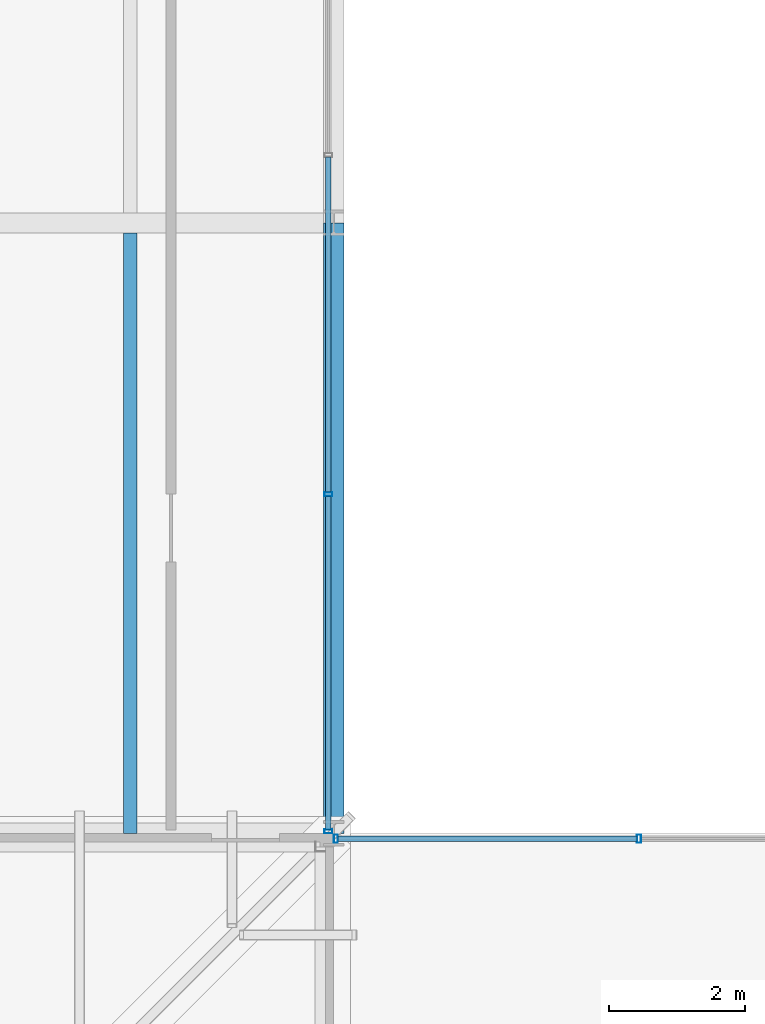
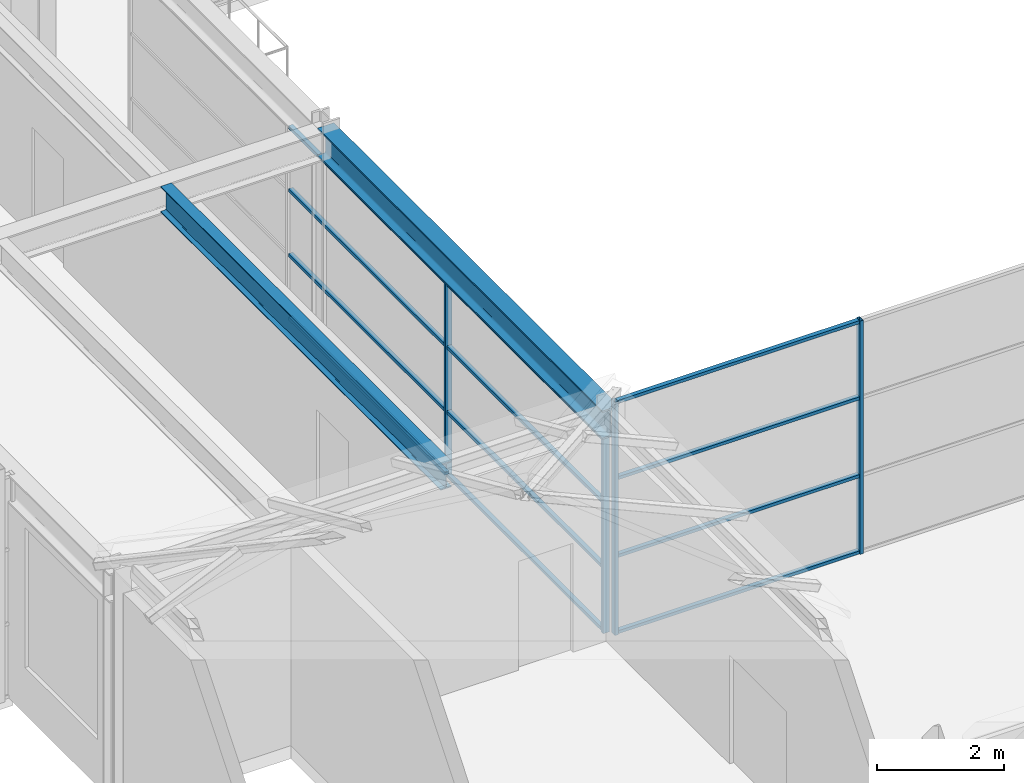
# One storey, part 19 of 149: 16 members, 2 beams, 2 elements without a shape of their own.
"""IFC4 building model written with IfcOpenShell, lengths in metres."""

from ifc_helpers import new_model, si_unit, direction, frame, origin, origin_2d, place, context, subcontext, project, spatial, hollow_rectangle, i_section, extrude, material, material_profile, profile_set, type_object, element, aggregate, save


model = new_model("IFC4")

# Units and contexts
model_context = context("Model", 3, precision=1e-05, world=origin(), true_north=direction((0.0, 1.0)))
body_context = subcontext(model_context, "Body", "Model", "MODEL_VIEW")
ifc_project = project(units=[si_unit("LENGTHUNIT", "METRE"), si_unit("AREAUNIT", "SQUARE_METRE"), si_unit("VOLUMEUNIT", "CUBIC_METRE"), si_unit("PLANEANGLEUNIT", "RADIAN"), si_unit("MASSUNIT", "GRAM", prefix="KILO")], contexts=[model_context])

# Site, building, storey
site_placement = place(None, origin())
site = spatial("IfcSite", under=ifc_project, at=site_placement, CompositionType="ELEMENT")
building_placement = place(site_placement, origin())
building = spatial("IfcBuilding", under=site, at=building_placement, Name="Kallimachos Central Library", CompositionType="ELEMENT")
storey_placement = place(building_placement, frame((0.0, 0.0, 9.89990234375)))
storey = spatial("IfcBuildingStorey", under=building, at=storey_placement, Name="L02", CompositionType="ELEMENT", Elevation=9.89990234375)

# Curtain wall, members
ifc_material_1 = material(Name="Aluminium and laminated glass", Category="aluminium")
curtain_wall_type = type_object("IfcCurtainWallType", Name="Atrium glazed screen", PredefinedType="NOTDEFINED", material=ifc_material_1)
curtain_wall_1_placement = place(storey_placement, origin())
curtain_wall_1 = element("IfcCurtainWall", 1, at=curtain_wall_1_placement, inside=storey, type_object=curtain_wall_type, Name="L02 atrium screen S", PredefinedType="NOTDEFINED")
ifc_material_2 = material(Name="Anodised aluminium", Category="aluminium")
ifc_material_profile_1 = material_profile(ifc_material_2, hollow_rectangle(XDim=0.06005859375, YDim=0.1201171875, WallThickness=0.00390625, at=origin_2d()), Name="ALU MULLION 60x120")
ifc_profile_set_1 = profile_set([ifc_material_profile_1], Name="Anodised aluminium")
member_type_1 = type_object("IfcMemberType", Name="Atrium screen mullion", PredefinedType="MULLION", material=ifc_profile_set_1)
member_1_placement = place(storey_placement, frame((74.530029296875, 56.919921875, 0.0), z_axis=(0.0, 0.0, 1.0), x_axis=(1.0, 0.0, 0.0)))
member_1 = element("IfcMember", 2, at=member_1_placement, type_object=member_type_1, Name="CW mullion 1", PredefinedType="MULLION", context=body_context, shape_type="SweptSolid", body=[
    extrude(hollow_rectangle(XDim=0.06005859375, YDim=0.1201171875, WallThickness=0.00390625, at=origin_2d()), origin(), (0.0, 0.0, 1.0), 4.5),
])
member_2_placement = place(storey_placement, frame((79.0, 56.919921875, 0.0), z_axis=(0.0, 0.0, 1.0), x_axis=(1.0, 0.0, 0.0)))
member_2 = element("IfcMember", 3, at=member_2_placement, type_object=member_type_1, Name="CW mullion 2", PredefinedType="MULLION", context=body_context, shape_type="SweptSolid", body=[
    extrude(hollow_rectangle(XDim=0.06005859375, YDim=0.1201171875, WallThickness=0.00390625, at=origin_2d()), origin(), (0.0, 0.0, 1.0), 4.5),
])

curtain_wall_2_placement = place(storey_placement, origin())
curtain_wall_2 = element("IfcCurtainWall", 4, at=curtain_wall_2_placement, inside=storey, type_object=curtain_wall_type, Name="L02 atrium screen W", PredefinedType="NOTDEFINED")
member_3_placement = place(storey_placement, frame((74.419921875, 57.030029296875, 0.0), z_axis=(0.0, 0.0, 1.0), x_axis=(0.0, 1.0, 0.0)))
member_3 = element("IfcMember", 5, at=member_3_placement, type_object=member_type_1, Name="CW mullion 1", PredefinedType="MULLION", context=body_context, shape_type="SweptSolid", body=[
    extrude(hollow_rectangle(XDim=0.06005859375, YDim=0.1201171875, WallThickness=0.00390625, at=origin_2d()), origin(), (0.0, 0.0, 1.0), 3.75),
])
member_4_placement = place(storey_placement, frame((74.419921875, 62.0, 0.0), z_axis=(0.0, 0.0, 1.0), x_axis=(0.0, 1.0, 0.0)))
member_4 = element("IfcMember", 6, at=member_4_placement, type_object=member_type_1, Name="CW mullion 2", PredefinedType="MULLION", context=body_context, shape_type="SweptSolid", body=[
    extrude(hollow_rectangle(XDim=0.06005859375, YDim=0.1201171875, WallThickness=0.00390625, at=origin_2d()), origin(), (0.0, 0.0, 1.0), 3.75),
])

# Member
ifc_material_3 = material(Name="Anodised aluminium", Category="aluminium")
ifc_material_profile_2 = material_profile(ifc_material_3, hollow_rectangle(XDim=0.06005859375, YDim=0.080078125, WallThickness=0.00390625, at=origin_2d()), Name="ALU TRANSOM 60x80")
ifc_profile_set_2 = profile_set([ifc_material_profile_2], Name="Anodised aluminium")
member_type_2 = type_object("IfcMemberType", Name="Atrium screen transom", PredefinedType="USERDEFINED", material=ifc_profile_set_2)
member_5_placement = place(storey_placement, frame((74.56005859375, 56.919921875, 0.030029296875), z_axis=(1.0, 0.0, 0.0), x_axis=(0.0, 0.0, 1.0)))
member_5 = element("IfcMember", 7, at=member_5_placement, type_object=member_type_2, Name="CW transom 1.1", ObjectType="TRANSOM", PredefinedType="USERDEFINED", context=body_context, shape_type="SweptSolid", body=[
    extrude(hollow_rectangle(XDim=0.06005859375, YDim=0.080078125, WallThickness=0.00390625, at=origin_2d()), origin(), (0.0, 0.0, 1.0), 4.409912109375),
])

member_6_placement = place(storey_placement, frame((74.56005859375, 56.919921875, 1.5), z_axis=(1.0, 0.0, 0.0), x_axis=(0.0, 0.0, 1.0)))
member_6 = element("IfcMember", 8, at=member_6_placement, type_object=member_type_2, Name="CW transom 1.2", ObjectType="TRANSOM", PredefinedType="USERDEFINED", context=body_context, shape_type="SweptSolid", body=[
    extrude(hollow_rectangle(XDim=0.06005859375, YDim=0.080078125, WallThickness=0.00390625, at=origin_2d()), origin(), (0.0, 0.0, 1.0), 4.409912109375),
])

member_7_placement = place(storey_placement, frame((74.56005859375, 56.919921875, 3.0), z_axis=(1.0, 0.0, 0.0), x_axis=(0.0, 0.0, 1.0)))
member_7 = element("IfcMember", 9, at=member_7_placement, type_object=member_type_2, Name="CW transom 1.3", ObjectType="TRANSOM", PredefinedType="USERDEFINED", context=body_context, shape_type="SweptSolid", body=[
    extrude(hollow_rectangle(XDim=0.06005859375, YDim=0.080078125, WallThickness=0.00390625, at=origin_2d()), origin(), (0.0, 0.0, 1.0), 4.409912109375),
])

member_8_placement = place(storey_placement, frame((74.56005859375, 56.919921875, 4.47021484375), z_axis=(1.0, 0.0, 0.0), x_axis=(0.0, 0.0, 1.0)))
member_8 = element("IfcMember", 10, at=member_8_placement, type_object=member_type_2, Name="CW transom 1.4", ObjectType="TRANSOM", PredefinedType="USERDEFINED", context=body_context, shape_type="SweptSolid", body=[
    extrude(hollow_rectangle(XDim=0.06005859375, YDim=0.080078125, WallThickness=0.00390625, at=origin_2d()), origin(), (0.0, 0.0, 1.0), 4.409912109375),
])

aggregate(curtain_wall_1, [member_1, member_2, member_5, member_6, member_7, member_8])

member_9_placement = place(storey_placement, frame((74.419921875, 57.06005859375, 0.030029296875), z_axis=(0.0, 1.0, 0.0), x_axis=(0.0, 0.0, 1.0)))
member_9 = element("IfcMember", 11, at=member_9_placement, type_object=member_type_2, Name="CW transom 1.1", ObjectType="TRANSOM", PredefinedType="USERDEFINED", context=body_context, shape_type="SweptSolid", body=[
    extrude(hollow_rectangle(XDim=0.06005859375, YDim=0.080078125, WallThickness=0.00390625, at=origin_2d()), origin(), (0.0, 0.0, 1.0), 4.909912109375),
])

member_10_placement = place(storey_placement, frame((74.419921875, 57.06005859375, 1.25), z_axis=(0.0, 1.0, 0.0), x_axis=(0.0, 0.0, 1.0)))
member_10 = element("IfcMember", 12, at=member_10_placement, type_object=member_type_2, Name="CW transom 1.2", ObjectType="TRANSOM", PredefinedType="USERDEFINED", context=body_context, shape_type="SweptSolid", body=[
    extrude(hollow_rectangle(XDim=0.06005859375, YDim=0.080078125, WallThickness=0.00390625, at=origin_2d()), origin(), (0.0, 0.0, 1.0), 4.909912109375),
])

member_11_placement = place(storey_placement, frame((74.419921875, 57.06005859375, 2.5), z_axis=(0.0, 1.0, 0.0), x_axis=(0.0, 0.0, 1.0)))
member_11 = element("IfcMember", 13, at=member_11_placement, type_object=member_type_2, Name="CW transom 1.3", ObjectType="TRANSOM", PredefinedType="USERDEFINED", context=body_context, shape_type="SweptSolid", body=[
    extrude(hollow_rectangle(XDim=0.06005859375, YDim=0.080078125, WallThickness=0.00390625, at=origin_2d()), origin(), (0.0, 0.0, 1.0), 4.909912109375),
])

member_12_placement = place(storey_placement, frame((74.419921875, 57.06005859375, 3.72021484375), z_axis=(0.0, 1.0, 0.0), x_axis=(0.0, 0.0, 1.0)))
member_12 = element("IfcMember", 14, at=member_12_placement, type_object=member_type_2, Name="CW transom 1.4", ObjectType="TRANSOM", PredefinedType="USERDEFINED", context=body_context, shape_type="SweptSolid", body=[
    extrude(hollow_rectangle(XDim=0.06005859375, YDim=0.080078125, WallThickness=0.00390625, at=origin_2d()), origin(), (0.0, 0.0, 1.0), 4.909912109375),
])

member_13_placement = place(storey_placement, frame((74.419921875, 62.030029296875, 0.030029296875), z_axis=(0.0, 1.0, 0.0), x_axis=(0.0, 0.0, 1.0)))
member_13 = element("IfcMember", 15, at=member_13_placement, type_object=member_type_2, Name="CW transom 2.1", ObjectType="TRANSOM", PredefinedType="USERDEFINED", context=body_context, shape_type="SweptSolid", body=[
    extrude(hollow_rectangle(XDim=0.06005859375, YDim=0.080078125, WallThickness=0.00390625, at=origin_2d()), origin(), (0.0, 0.0, 1.0), 4.93994140625),
])

member_14_placement = place(storey_placement, frame((74.419921875, 62.030029296875, 1.25), z_axis=(0.0, 1.0, 0.0), x_axis=(0.0, 0.0, 1.0)))
member_14 = element("IfcMember", 16, at=member_14_placement, type_object=member_type_2, Name="CW transom 2.2", ObjectType="TRANSOM", PredefinedType="USERDEFINED", context=body_context, shape_type="SweptSolid", body=[
    extrude(hollow_rectangle(XDim=0.06005859375, YDim=0.080078125, WallThickness=0.00390625, at=origin_2d()), origin(), (0.0, 0.0, 1.0), 4.93994140625),
])

member_15_placement = place(storey_placement, frame((74.419921875, 62.030029296875, 2.5), z_axis=(0.0, 1.0, 0.0), x_axis=(0.0, 0.0, 1.0)))
member_15 = element("IfcMember", 17, at=member_15_placement, type_object=member_type_2, Name="CW transom 2.3", ObjectType="TRANSOM", PredefinedType="USERDEFINED", context=body_context, shape_type="SweptSolid", body=[
    extrude(hollow_rectangle(XDim=0.06005859375, YDim=0.080078125, WallThickness=0.00390625, at=origin_2d()), origin(), (0.0, 0.0, 1.0), 4.93994140625),
])

member_16_placement = place(storey_placement, frame((74.419921875, 62.030029296875, 3.72021484375), z_axis=(0.0, 1.0, 0.0), x_axis=(0.0, 0.0, 1.0)))
member_16 = element("IfcMember", 18, at=member_16_placement, type_object=member_type_2, Name="CW transom 2.4", ObjectType="TRANSOM", PredefinedType="USERDEFINED", context=body_context, shape_type="SweptSolid", body=[
    extrude(hollow_rectangle(XDim=0.06005859375, YDim=0.080078125, WallThickness=0.00390625, at=origin_2d()), origin(), (0.0, 0.0, 1.0), 4.93994140625),
])

aggregate(curtain_wall_2, [member_3, member_4, member_9, member_10, member_11, member_12, member_13, member_14, member_15, member_16])

# Beams
ifc_material_4 = material(Name="Steel S355J2", Category="steel")
ifc_material_profile_3 = material_profile(ifc_material_4, i_section(OverallWidth=0.300048828125, OverallDepth=0.550048828125, WebThickness=0.014892578125, FlangeThickness=0.029052734375, FilletRadius=0.027099609375, at=origin_2d()), Name="HEB 550")
ifc_profile_set_3 = profile_set([ifc_material_profile_3], Name="Steel S355J2")
beam_type_1 = type_object("IfcBeamType", Name="HEB 550 beam", PredefinedType="BEAM", material=ifc_profile_set_3)
beam_1_placement = place(storey_placement, frame((74.5, 57.0, 4.025146484375), z_axis=(0.0, 1.0, 0.0), x_axis=(-1.0, 0.0, 0.0)))
element("IfcBeam", 19, at=beam_1_placement, inside=storey, type_object=beam_type_1, Name="V4-BEM-L02-025", PredefinedType="BEAM", context=body_context, shape_type="SweptSolid", body=[
    extrude(i_section(OverallWidth=0.300048828125, OverallDepth=0.550048828125, WebThickness=0.014892578125, FlangeThickness=0.029052734375, FilletRadius=0.027099609375, at=origin_2d()), origin(), (0.0, 0.0, 1.0), 9.0),
])
ifc_material_5 = material(Name="Steel S355J2", Category="steel")
ifc_material_profile_4 = material_profile(ifc_material_5, i_section(OverallWidth=0.199951171875, OverallDepth=0.5, WebThickness=0.01025390625, FlangeThickness=0.01611328125, FilletRadius=0.02099609375, at=origin_2d()), Name="IPE 500")
ifc_profile_set_4 = profile_set([ifc_material_profile_4], Name="Steel S355J2")
beam_type_2 = type_object("IfcBeamType", Name="IPE 500 beam", PredefinedType="BEAM", material=ifc_profile_set_4)
beam_2_placement = place(storey_placement, frame((71.5, 57.0, 4.050048828125), z_axis=(0.0, 1.0, 0.0), x_axis=(-1.0, 0.0, 0.0)))
element("IfcBeam", 20, at=beam_2_placement, inside=storey, type_object=beam_type_2, Name="V4-BEM-L02-028", PredefinedType="BEAM", context=body_context, shape_type="SweptSolid", body=[
    extrude(i_section(OverallWidth=0.199951171875, OverallDepth=0.5, WebThickness=0.01025390625, FlangeThickness=0.01611328125, FilletRadius=0.02099609375, at=origin_2d()), origin(), (0.0, 0.0, 1.0), 8.85009765625),
])

save(model, "model.ifc")
